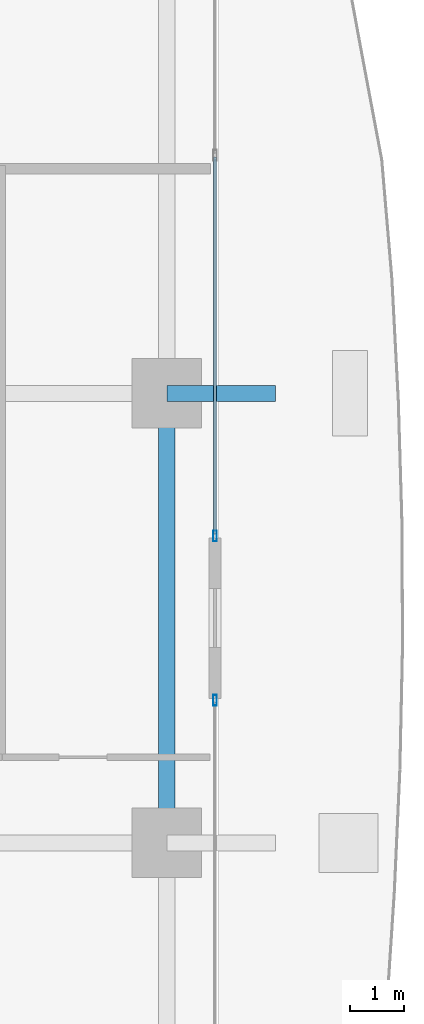
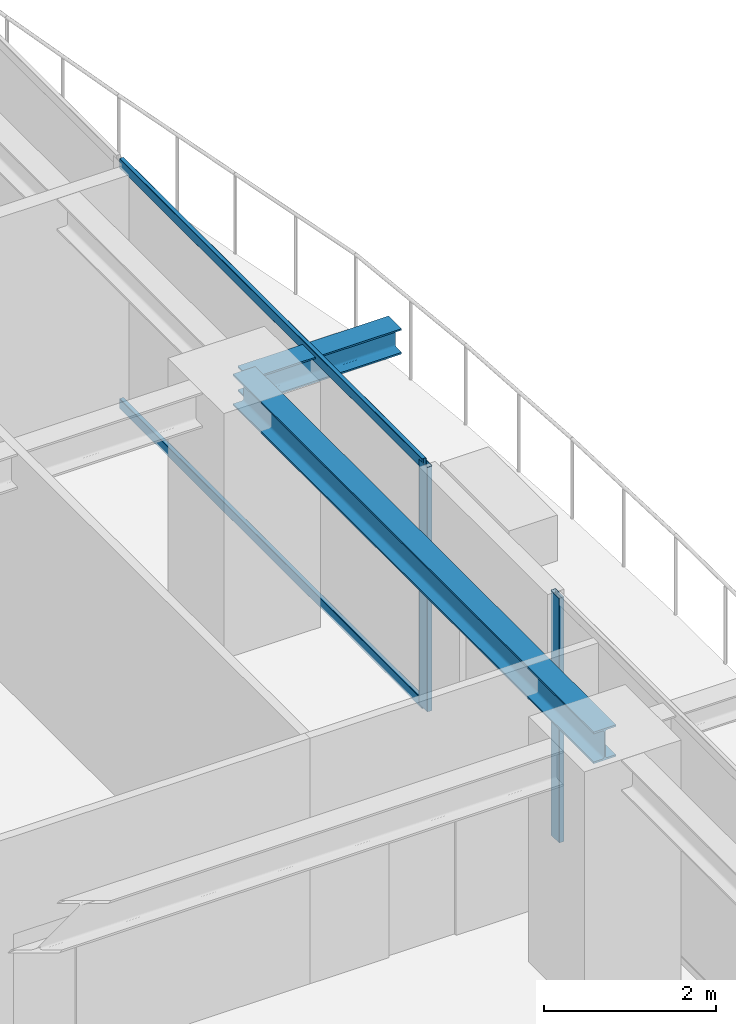
# One storey, part 14 of 34: 4 members, 2 beams, 2 elements without a shape of their own.
"""IFC4 building model written with IfcOpenShell, lengths in metres."""

from ifc_helpers import new_model, si_unit, direction, frame, origin, origin_2d, place, context, subcontext, project, spatial, hollow_rectangle, i_section, extrude, source, transform, mapped, material, layer, layer_set, material_profile, profile_set, type_object, element, aggregate, save


model = new_model("IFC4")

# Units and contexts
model_context = context("Model", 3, precision=1e-05, world=origin(), true_north=direction((0.0, 1.0)))
body_context = subcontext(model_context, "Body", "Model", "MODEL_VIEW")
ifc_project = project(units=[si_unit("LENGTHUNIT", "METRE"), si_unit("AREAUNIT", "SQUARE_METRE"), si_unit("VOLUMEUNIT", "CUBIC_METRE"), si_unit("PLANEANGLEUNIT", "RADIAN"), si_unit("MASSUNIT", "GRAM", prefix="KILO")], contexts=[model_context])

# Site, building, storey
site_placement = place(None, origin())
site = spatial("IfcSite", under=ifc_project, at=site_placement, CompositionType="ELEMENT")
building_placement = place(site_placement, origin())
building = spatial("IfcBuilding", under=site, at=building_placement, Name="Serunith Strait Residences", CompositionType="ELEMENT")
storey_placement = place(building_placement, frame((0.0, 0.0, 135.14990234375)))
storey = spatial("IfcBuildingStorey", under=building, at=storey_placement, Name="L33", CompositionType="ELEMENT", Elevation=135.14990234375)

# Beams
ifc_material_1 = material(Name="Steel S355J2", Category="steel")
ifc_material_profile_1 = material_profile(ifc_material_1, i_section(OverallWidth=0.300048828125, OverallDepth=0.449951171875, WebThickness=0.013916015625, FlangeThickness=0.02587890625, FilletRadius=0.027099609375, at=origin_2d()), Name="HEB 450")
ifc_profile_set_1 = profile_set([ifc_material_profile_1], Name="Steel S355J2")
beam_type_1 = type_object("IfcBeamType", Name="BM-HEB450", PredefinedType="BEAM", material=ifc_profile_set_1)
shared_shape_1 = source(origin(), body_context, "Body", "SweptSolid", [
    extrude(i_section(OverallWidth=0.300048828125, OverallDepth=0.449951171875, WebThickness=0.013916015625, FlangeThickness=0.02587890625, FilletRadius=0.027099609375, at=origin_2d()), origin(), (0.0, 0.0, 1.0), 8.39990234375),
])
beam_1_placement = place(storey_placement, frame((56.10009765625, 21.0, 3.26220703125), z_axis=(0.0, 1.0, 0.0), x_axis=(-1.0, 0.0, 0.0)))
element("IfcBeam", 1, at=beam_1_placement, inside=storey, type_object=beam_type_1, Name="L33 Perimeter Ring Beam 06", PredefinedType="BEAM", context=body_context, shape_type="MappedRepresentation", body=[
    mapped(shared_shape_1, transform((0.0, 0.0, 0.0), scale=1.0)),
])
ifc_material_profile_2 = material_profile(ifc_material_1, i_section(OverallWidth=0.300048828125, OverallDepth=0.360107421875, WebThickness=0.012451171875, FlangeThickness=0.0224609375, FilletRadius=0.027099609375, at=origin_2d()), Name="HEB 360")
ifc_profile_set_2 = profile_set([ifc_material_profile_2], Name="Steel S355J2")
beam_type_2 = type_object("IfcBeamType", Name="BM-HEB360", PredefinedType="BEAM", material=ifc_profile_set_2)
shared_shape_2 = source(origin(), body_context, "Body", "SweptSolid", [
    extrude(i_section(OverallWidth=0.300048828125, OverallDepth=0.360107421875, WebThickness=0.012451171875, FlangeThickness=0.0224609375, FilletRadius=0.027099609375, at=origin_2d()), origin(), (0.0, 0.0, 1.0), 2.02978515625),
])
beam_2_placement = place(storey_placement, frame((56.10009765625, 29.39990234375, 3.277099609375), z_axis=(1.0, 0.0, 0.0), x_axis=(0.0, 1.0, 0.0)))
element("IfcBeam", 2, at=beam_2_placement, inside=storey, type_object=beam_type_2, Name="L34 Cantilevered Balcony Rib TC-E3", PredefinedType="BEAM", context=body_context, shape_type="MappedRepresentation", body=[
    mapped(shared_shape_2, transform((0.0, 0.0, 0.0), scale=1.0)),
])

# Curtain wall, member
ifc_material_2 = material(Name="Pale-Champagne Anodised Aluminium", Category="aluminium")
ifc_layer = layer(ifc_material_2, 0.199951171875, Name="Pale-Champagne Anodised Aluminium")
ifc_layer_set = layer_set([ifc_layer], Name="Pale-Champagne Anodised Aluminium")
curtain_wall_type = type_object("IfcCurtainWallType", Name="CW-SYS2", PredefinedType="NOTDEFINED", material=ifc_layer_set)
curtain_wall_1_placement = place(storey_placement, origin())
curtain_wall_1 = element("IfcCurtainWall", 3, at=curtain_wall_1_placement, inside=storey, type_object=curtain_wall_type, Name="L33 E Unitised Fritted Curtain Wall", PredefinedType="NOTDEFINED")
ifc_material_profile_3 = material_profile(ifc_material_2, hollow_rectangle(XDim=0.070068359375, YDim=0.199951171875, WallThickness=0.00390625, InnerFilletRadius=0.006103515625, OuterFilletRadius=0.010009765625, at=origin_2d()), Name="ALU 200x70x4")
ifc_profile_set_3 = profile_set([ifc_material_profile_3], Name="Pale-Champagne Anodised Aluminium")
member_type_1 = type_object("IfcMemberType", Name="CW-SYS2-MULL", PredefinedType="MULLION", material=ifc_profile_set_3)
shared_shape_3 = source(origin(), body_context, "Body", "SweptSolid", [
    extrude(hollow_rectangle(XDim=0.070068359375, YDim=0.199951171875, WallThickness=0.00390625, InnerFilletRadius=0.006103515625, OuterFilletRadius=0.010009765625, at=origin_2d()), origin(), (0.0, 0.0, 1.0), 3.47509765625),
])
member_1_placement = place(storey_placement, frame((57.0, 23.6650390625, 0.0), z_axis=(0.0, 0.0, 1.0), x_axis=(-1.0, 0.0, 0.0)))
member_1 = element("IfcMember", 4, at=member_1_placement, type_object=member_type_1, Name="CW-2 mullion 3", PredefinedType="MULLION", context=body_context, shape_type="MappedRepresentation", body=[
    mapped(shared_shape_3, transform((0.0, 0.0, 0.0), scale=1.0)),
])
aggregate(curtain_wall_1, [member_1])

# Curtain wall, members
curtain_wall_2_placement = place(storey_placement, origin())
curtain_wall_2 = element("IfcCurtainWall", 5, at=curtain_wall_2_placement, inside=storey, type_object=curtain_wall_type, Name="L33 E Unitised Fritted Curtain Wall", PredefinedType="NOTDEFINED")
member_2_placement = place(storey_placement, frame((57.0, 26.735107421875, 0.0), z_axis=(0.0, 0.0, 1.0), x_axis=(-1.0, 0.0, 0.0)))
member_2 = element("IfcMember", 6, at=member_2_placement, type_object=member_type_1, Name="CW-2 mullion 1", PredefinedType="MULLION", context=body_context, shape_type="MappedRepresentation", body=[
    mapped(shared_shape_3, transform((0.0, 0.0, 0.0), scale=1.0)),
])
ifc_material_profile_4 = material_profile(ifc_material_2, hollow_rectangle(XDim=0.06005859375, YDim=0.139892578125, WallThickness=0.00341796875, InnerFilletRadius=0.00537109375, OuterFilletRadius=0.0087890625, at=origin_2d()), Name="ALU 140x60x3.5")
ifc_profile_set_4 = profile_set([ifc_material_profile_4], Name="Pale-Champagne Anodised Aluminium")
member_type_2 = type_object("IfcMemberType", Name="CW-SYS2-TRAN", PredefinedType="USERDEFINED", material=ifc_profile_set_4)
shared_shape_4 = source(origin(), body_context, "Body", "SweptSolid", [
    extrude(hollow_rectangle(XDim=0.06005859375, YDim=0.139892578125, WallThickness=0.00341796875, InnerFilletRadius=0.00537109375, OuterFilletRadius=0.0087890625, at=origin_2d()), origin(), (0.0, 0.0, 1.0), 7.044921875),
])
member_3_placement = place(storey_placement, frame((57.0, 26.77001953125, 0.030029296875), z_axis=(0.0, 1.0, 0.0), x_axis=(-1.0, 0.0, 0.0)))
member_3 = element("IfcMember", 7, at=member_3_placement, type_object=member_type_2, Name="CW-2 transom 1.1", ObjectType="TRANSOM", PredefinedType="USERDEFINED", context=body_context, shape_type="MappedRepresentation", body=[
    mapped(shared_shape_4, transform((0.0, 0.0, 0.0), scale=1.0)),
])
member_4_placement = place(storey_placement, frame((57.0, 26.77001953125, 3.445068359375), z_axis=(0.0, 1.0, 0.0), x_axis=(-1.0, 0.0, 0.0)))
member_4 = element("IfcMember", 8, at=member_4_placement, type_object=member_type_2, Name="CW-2 transom 1.2", ObjectType="TRANSOM", PredefinedType="USERDEFINED", context=body_context, shape_type="MappedRepresentation", body=[
    mapped(shared_shape_4, transform((0.0, 0.0, 0.0), scale=1.0)),
])
aggregate(curtain_wall_2, [member_2, member_3, member_4])

save(model, "model.ifc")
